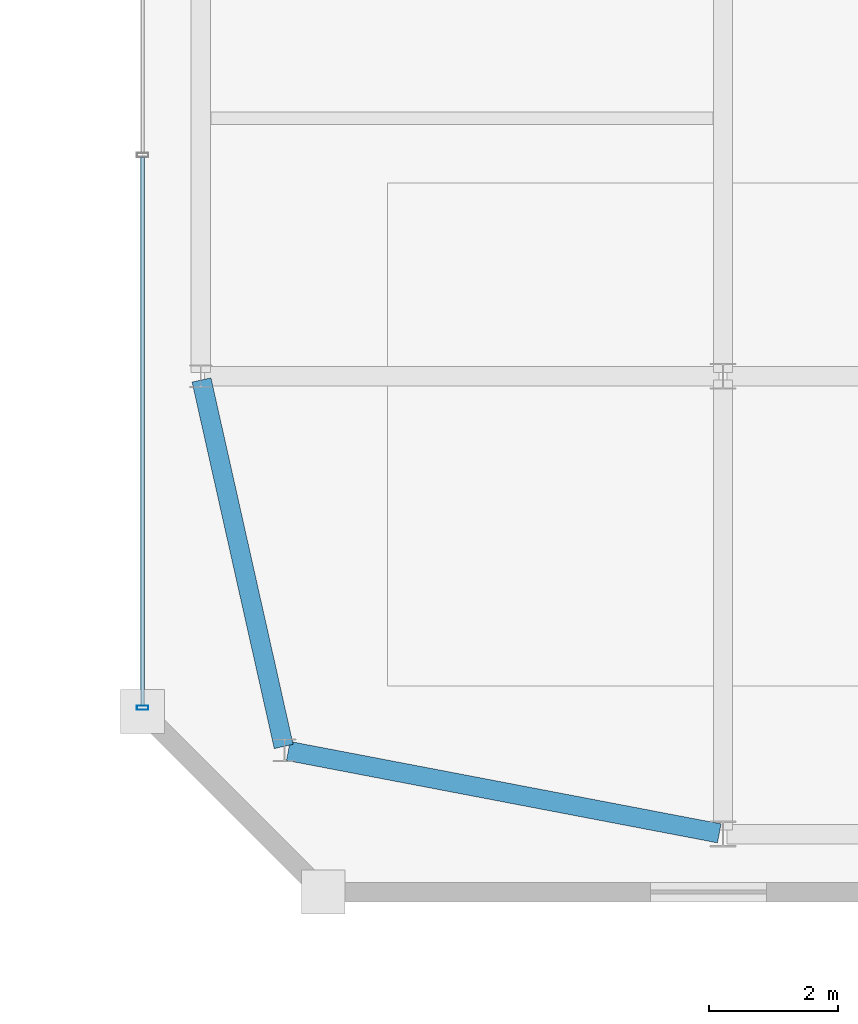
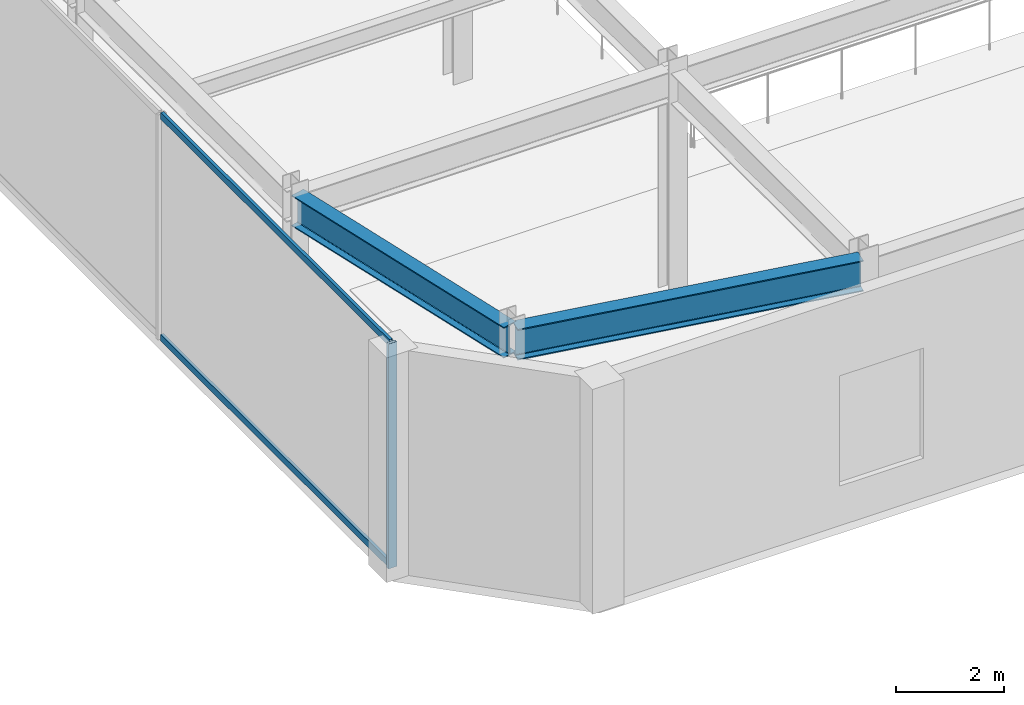
# One storey, part 32 of 52: 3 members, 2 beams, 1 element without a shape of its own.
"""IFC4 building model written with IfcOpenShell, lengths in metres."""

from ifc_helpers import new_model, si_unit, direction, frame, origin, origin_2d, place, context, subcontext, project, spatial, hollow_rectangle, i_section, extrude, material, material_profile, profile_set, type_object, element, aggregate, save


model = new_model("IFC4")

# Units and contexts
model_context = context("Model", 3, precision=1e-05, world=origin(), true_north=direction((0.0, 1.0)))
body_context = subcontext(model_context, "Body", "Model", "MODEL_VIEW")
ifc_project = project(units=[si_unit("LENGTHUNIT", "METRE"), si_unit("AREAUNIT", "SQUARE_METRE"), si_unit("VOLUMEUNIT", "CUBIC_METRE"), si_unit("PLANEANGLEUNIT", "RADIAN"), si_unit("MASSUNIT", "GRAM", prefix="KILO")], contexts=[model_context])

# Site, building, storey
site_placement = place(None, origin())
site = spatial("IfcSite", under=ifc_project, at=site_placement, CompositionType="ELEMENT")
building_placement = place(site_placement, origin())
building = spatial("IfcBuilding", under=site, at=building_placement, Name="Saevonmaru Cultural Tower", CompositionType="ELEMENT")
storey_placement = place(building_placement, frame((0.0, 0.0, 11.39990234375)))
storey = spatial("IfcBuildingStorey", under=building, at=storey_placement, Name="L02", CompositionType="ELEMENT", Elevation=11.39990234375)

# Beams
ifc_material_1 = material(Name="Steel SM355", Category="steel")
ifc_material_profile_1 = material_profile(ifc_material_1, i_section(OverallWidth=0.300048828125, OverallDepth=0.699951171875, WebThickness=0.012939453125, FlangeThickness=0.02392578125, FilletRadius=0.02587890625, at=origin_2d()), Name="H-700x300x13x24")
ifc_profile_set_1 = profile_set([ifc_material_profile_1], Name="Steel SM355")
beam_type = type_object("IfcBeamType", Name="BM-G-H700", PredefinedType="BEAM", material=ifc_profile_set_1)
beam_1_placement = place(storey_placement, frame((74.458984375, 10.188720703125, 4.75), z_axis=(0.982215224342, -0.187758496666, 0.0), x_axis=(0.187758496666, 0.982215224342, 0.0)))
element("IfcBeam", 1, at=beam_1_placement, inside=storey, type_object=beam_type, Name="L02 Library Girder EW-1-1", PredefinedType="BEAM", context=body_context, shape_type="SweptSolid", body=[
    extrude(i_section(OverallWidth=0.300048828125, OverallDepth=0.699951171875, WebThickness=0.012939453125, FlangeThickness=0.02392578125, FilletRadius=0.02587890625, at=origin_2d()), origin(), (0.0, 0.0, 1.0), 6.80322265625),
])
beam_2_placement = place(storey_placement, frame((74.386962890625, 10.258544921875, 4.75), z_axis=(-0.218741049138, 0.975782943806, 0.0), x_axis=(-0.975782943806, -0.218741049138, 0.0)))
element("IfcBeam", 2, at=beam_2_placement, inside=storey, type_object=beam_type, Name="L02 Library Girder NS-1-1", PredefinedType="BEAM", context=body_context, shape_type="SweptSolid", body=[
    extrude(i_section(OverallWidth=0.300048828125, OverallDepth=0.699951171875, WebThickness=0.012939453125, FlangeThickness=0.02392578125, FilletRadius=0.02587890625, at=origin_2d()), origin(), (0.0, 0.0, 1.0), 5.823974609375),
])

# Curtain wall, members
ifc_material_2 = material(Name="Satin Bronze Anodised Aluminium", Category="aluminium")
curtain_wall_type = type_object("IfcCurtainWallType", Name="CW-LIB-GLZ", PredefinedType="NOTDEFINED", material=ifc_material_2)
curtain_wall_placement = place(storey_placement, origin())
curtain_wall = element("IfcCurtainWall", 3, at=curtain_wall_placement, inside=storey, type_object=curtain_wall_type, Name="L02 Central Library Reading Hall Curtain Wall 8", PredefinedType="NOTDEFINED")
ifc_material_profile_2 = material_profile(ifc_material_2, hollow_rectangle(XDim=0.06494140625, YDim=0.179931640625, WallThickness=0.00390625, at=origin_2d()), Name="ALU-MULL-180x65x4")
ifc_profile_set_2 = profile_set([ifc_material_profile_2], Name="Satin Bronze Anodised Aluminium")
member_type_1 = type_object("IfcMemberType", Name="ML-CW-180x65", PredefinedType="MULLION", material=ifc_profile_set_2)
member_1_placement = place(storey_placement, frame((72.199951171875, 10.860107421875, 0.0), z_axis=(0.0, 0.0, 1.0), x_axis=(0.0, -1.0, 0.0)))
member_1 = element("IfcMember", 4, at=member_1_placement, type_object=member_type_1, Name="CW-LIB-8-L02 mullion 5", PredefinedType="MULLION", context=body_context, shape_type="SweptSolid", body=[
    extrude(hollow_rectangle(XDim=0.06494140625, YDim=0.179931640625, WallThickness=0.00390625, at=origin_2d()), origin(), (0.0, 0.0, 1.0), 5.10009765625),
])
ifc_material_profile_3 = material_profile(ifc_material_2, hollow_rectangle(XDim=0.06494140625, YDim=0.14990234375, WallThickness=0.00390625, at=origin_2d()), Name="ALU-TRAN-150x65x4")
ifc_profile_set_3 = profile_set([ifc_material_profile_3], Name="Satin Bronze Anodised Aluminium")
member_type_2 = type_object("IfcMemberType", Name="TR-CW-150x65", PredefinedType="USERDEFINED", material=ifc_profile_set_3)
member_2_placement = place(storey_placement, frame((72.199951171875, 19.3974609375, 0.03271484375), z_axis=(0.0, -1.0, 0.0), x_axis=(1.0, 0.0, 0.0)))
member_2 = element("IfcMember", 5, at=member_2_placement, type_object=member_type_2, Name="CW-LIB-8-L02 transom 4.1", ObjectType="TRANSOM", PredefinedType="USERDEFINED", context=body_context, shape_type="SweptSolid", body=[
    extrude(hollow_rectangle(XDim=0.06494140625, YDim=0.14990234375, WallThickness=0.00390625, at=origin_2d()), origin(), (0.0, 0.0, 1.0), 8.5048828125),
])
member_3_placement = place(storey_placement, frame((72.199951171875, 19.3974609375, 5.067626953125), z_axis=(0.0, -1.0, 0.0), x_axis=(1.0, 0.0, 0.0)))
member_3 = element("IfcMember", 6, at=member_3_placement, type_object=member_type_2, Name="CW-LIB-8-L02 transom 4.2", ObjectType="TRANSOM", PredefinedType="USERDEFINED", context=body_context, shape_type="SweptSolid", body=[
    extrude(hollow_rectangle(XDim=0.06494140625, YDim=0.14990234375, WallThickness=0.00390625, at=origin_2d()), origin(), (0.0, 0.0, 1.0), 8.5048828125),
])
aggregate(curtain_wall, [member_1, member_2, member_3])

save(model, "model.ifc")
